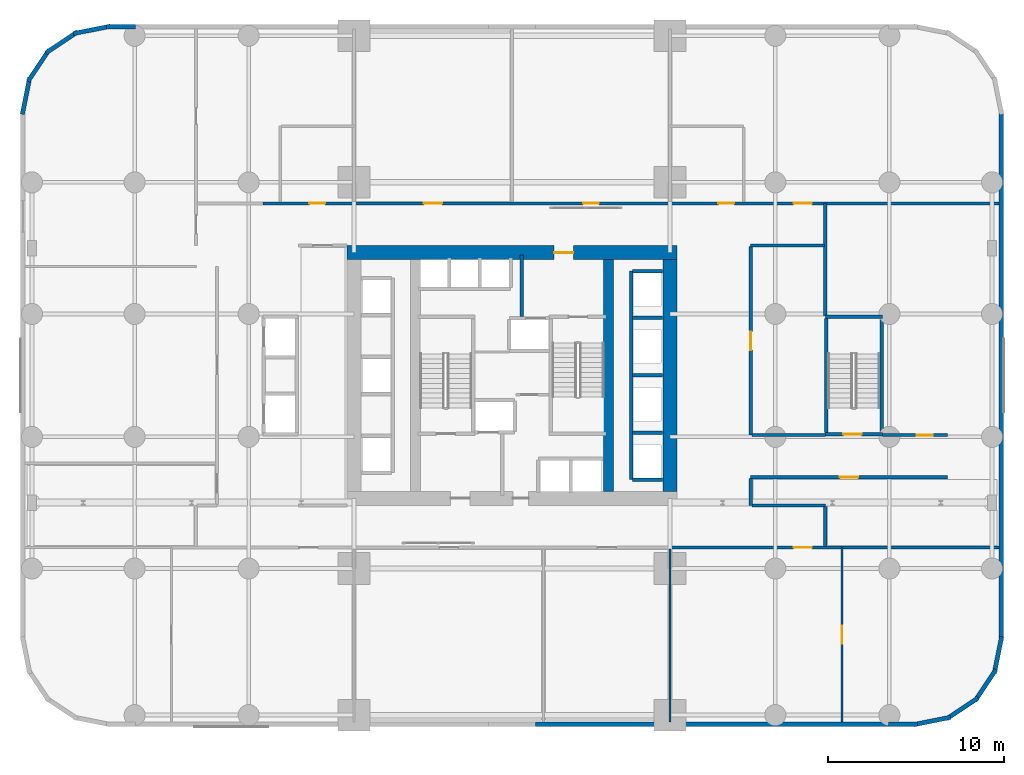
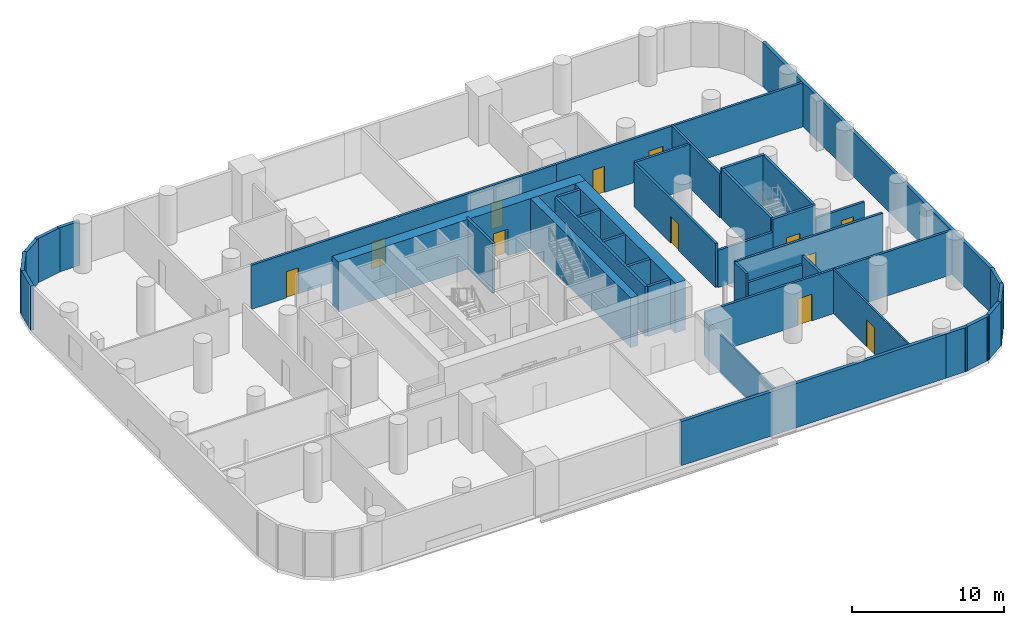
# One storey, part 10 of 15: 40 walls, 12 doors, 12 openings.
"""IFC4 building model written with IfcOpenShell, lengths in metres."""

from ifc_helpers import new_model, si_unit, direction, frame, frame_2d, origin, place, context, subcontext, project, spatial, rectangle, extrude, material, layer, layer_set, type_object, element, fill, save


model = new_model("IFC4")

# Units and contexts
model_context = context("Model", 3, precision=1e-05, world=origin(), true_north=direction((0.0, 1.0)))
body_context = subcontext(model_context, "Body", "Model", "MODEL_VIEW")
ifc_project = project(units=[si_unit("LENGTHUNIT", "METRE"), si_unit("AREAUNIT", "SQUARE_METRE"), si_unit("VOLUMEUNIT", "CUBIC_METRE"), si_unit("PLANEANGLEUNIT", "RADIAN"), si_unit("MASSUNIT", "GRAM", prefix="KILO")], contexts=[model_context])

# Site, building, storey
site_placement = place(None, origin())
site = spatial("IfcSite", under=ifc_project, at=site_placement, CompositionType="ELEMENT")
building_placement = place(site_placement, origin())
building = spatial("IfcBuilding", under=site, at=building_placement, Name="Veldorim Arch Residences", CompositionType="ELEMENT")
storey_placement = place(building_placement, frame((0.0, 0.0, 16.0)))
storey = spatial("IfcBuildingStorey", under=building, at=storey_placement, Name="L04", CompositionType="ELEMENT", Elevation=16.0)

# Wall, opening, door
ifc_material_1 = material(Name="Acoustic Gypsum Board", Category="gypsum")
ifc_layer_1 = layer(ifc_material_1, 0.125, Name="Acoustic Stud Room Partition Wall 125")
ifc_layer_set_1 = layer_set([ifc_layer_1], Name="Acoustic Gypsum Board")
wall_type_1 = type_object("IfcWallType", Name="Acoustic Stud Room Partition Wall 125", PredefinedType="PARTITIONING", material=ifc_layer_set_1)
wall_1_placement = place(storey_placement, frame((50.800048828125, 14.199951171875, 0.0), z_axis=(0.0, 0.0, 1.0), x_axis=(0.0, -1.0, 0.0)))
wall_1 = element("IfcWall", 1, at=wall_1_placement, inside=storey, type_object=wall_type_1, Name="L04 interior wall WL-POD-L04-029", PredefinedType="PARTITIONING", context=body_context, shape_type="SweptSolid", body=[
    extrude(rectangle(XDim=9.949951171875, YDim=0.125, at=frame_2d((4.97509765625, 0.0))), origin(), (0.0, 0.0, 1.0), 3.544921875),
])
opening_1_placement = place(wall_1_placement, frame((4.449951171875, 0.0, 0.0)))
opening_1 = element("IfcOpeningElement", 2, at=opening_1_placement, cuts=wall_1, Name="Opening DR-CLN", PredefinedType="OPENING", context=body_context, shape_type="SweptSolid", body=[
    extrude(rectangle(XDim=1.050048828125, YDim=2.14990234375, at=frame_2d((0.52490234375, 1.074951171875))), frame((0.0, 0.072509765625, 0.0), z_axis=(0.0, -1.0, 0.0), x_axis=(1.0, 0.0, 0.0)), (0.0, 0.0, 1.0), 0.14501953125),
])
ifc_material_2 = material(Name="Timber & Vision Panel", Category="wood")
door_type_1 = type_object("IfcDoorType", Name="Polyclinic Wheelchair-Accessible Consultation Door 1050x2150", OperationType="SINGLE_SWING_LEFT", PredefinedType="DOOR", material=ifc_material_2)
door_1_placement = place(opening_1_placement, origin())
door_1 = element("IfcDoor", 3, at=door_1_placement, inside=storey, type_object=door_type_1, Name="L04 interior door DR-POD-L04-010", OperationType="SINGLE_SWING_RIGHT", OverallHeight=2.14990234375, OverallWidth=1.050048828125, PredefinedType="DOOR", context=body_context, shape_type="SweptSolid", body=[
    extrude(rectangle(XDim=1.050048828125, YDim=2.14990234375, at=frame_2d((0.52490234375, 1.074951171875))), frame((0.0, 0.02490234375, 0.0), z_axis=(0.0, -1.0, 0.0), x_axis=(1.0, 0.0, 0.0)), (0.0, 0.0, 1.0), 0.050048828125),
])
fill(opening_1, door_1)

# Wall
wall_2_placement = place(storey_placement, frame((41.0, 4.25, 0.0), z_axis=(0.0, 0.0, 1.0), x_axis=(0.0, 1.0, 0.0)))
element("IfcWall", 4, at=wall_2_placement, inside=storey, type_object=wall_type_1, Name="L04 interior wall WL-POD-L04-030", PredefinedType="PARTITIONING", context=body_context, shape_type="SweptSolid", body=[
    extrude(rectangle(XDim=9.85009765625, YDim=0.125, at=frame_2d((4.925048828125, 0.0))), origin(), (0.0, 0.0, 1.0), 3.001220703125),
])

# Wall, openings, doors
ifc_material_3 = material(Name="Lightweight Masonry Block & Gypsum", Category="masonry")
ifc_layer_2 = layer(ifc_material_3, 0.179931640625, Name="Compartment & Corridor Fire-Rated Party Wall 180")
ifc_layer_set_2 = layer_set([ifc_layer_2], Name="Lightweight Masonry Block & Gypsum")
wall_type_2 = type_object("IfcWallType", Name="Compartment & Corridor Fire-Rated Party Wall 180", PredefinedType="PARTITIONING", material=ifc_layer_set_2)
wall_3_placement = place(storey_placement, frame((17.800048828125, 33.800048828125, 0.0), z_axis=(0.0, 0.0, 1.0), x_axis=(1.0, 0.0, 0.0)))
wall_3 = element("IfcWall", 5, at=wall_3_placement, inside=storey, type_object=wall_type_2, Name="L04 interior wall WL-POD-L04-006", PredefinedType="PARTITIONING", context=body_context, shape_type="SweptSolid", body=[
    extrude(rectangle(XDim=23.219970703125, YDim=0.179931640625, at=frame_2d((11.60986328125, 0.0))), origin(), (0.0, 0.0, 1.0), 3.544921875),
])
opening_2_placement = place(wall_3_placement, frame((2.64990234375, 0.0, 0.0)))
opening_2 = element("IfcOpeningElement", 6, at=opening_2_placement, cuts=wall_3, Name="Opening DR-WC", PredefinedType="OPENING", context=body_context, shape_type="SweptSolid", body=[
    extrude(rectangle(XDim=0.89990234375, YDim=2.10009765625, at=frame_2d((0.449951171875, 1.050048828125))), frame((0.0, 0.099853515625, 0.0), z_axis=(0.0, -1.0, 0.0), x_axis=(1.0, 0.0, 0.0)), (0.0, 0.0, 1.0), 0.199951171875),
])
opening_3_placement = place(wall_3_placement, frame((9.175048828125, 0.0, 0.0)))
opening_3 = element("IfcOpeningElement", 7, at=opening_3_placement, cuts=wall_3, Name="Opening DR-CLN", PredefinedType="OPENING", context=body_context, shape_type="SweptSolid", body=[
    extrude(rectangle(XDim=1.050048828125, YDim=2.14990234375, at=frame_2d((0.52490234375, 1.074951171875))), frame((0.0, 0.099853515625, 0.0), z_axis=(0.0, -1.0, 0.0), x_axis=(1.0, 0.0, 0.0)), (0.0, 0.0, 1.0), 0.199951171875),
])
opening_4_placement = place(wall_3_placement, frame((18.25, 0.0, 0.0)))
opening_4 = element("IfcOpeningElement", 8, at=opening_4_placement, cuts=wall_3, Name="Opening DR-INT", PredefinedType="OPENING", context=body_context, shape_type="SweptSolid", body=[
    extrude(rectangle(XDim=0.89990234375, YDim=2.10009765625, at=frame_2d((0.449951171875, 1.050048828125))), frame((0.0, 0.099853515625, 0.0), z_axis=(0.0, -1.0, 0.0), x_axis=(1.0, 0.0, 0.0)), (0.0, 0.0, 1.0), 0.199951171875),
])
ifc_material_4 = material(Name="Engineered Timber", Category="wood")
door_type_2 = type_object("IfcDoorType", Name="Apartment Internal Room Timber Door 900x2100", OperationType="SINGLE_SWING_LEFT", PredefinedType="DOOR", material=ifc_material_4)
door_2_placement = place(opening_4_placement, origin())
door_2 = element("IfcDoor", 9, at=door_2_placement, inside=storey, type_object=door_type_2, Name="L04 interior door DR-POD-L04-019", OperationType="SINGLE_SWING_LEFT", OverallHeight=2.10009765625, OverallWidth=0.89990234375, PredefinedType="DOOR", context=body_context, shape_type="SweptSolid", body=[
    extrude(rectangle(XDim=0.89990234375, YDim=2.10009765625, at=frame_2d((0.449951171875, 1.050048828125))), frame((0.0, 0.02490234375, 0.0), z_axis=(0.0, -1.0, 0.0), x_axis=(1.0, 0.0, 0.0)), (0.0, 0.0, 1.0), 0.050048828125),
])
fill(opening_4, door_2)
ifc_material_5 = material(Name="Laminate Timber", Category="wood")
door_type_3 = type_object("IfcDoorType", Name="Bathroom & Accessible WC Moisture-Sealed Door 900x2100", OperationType="SINGLE_SWING_LEFT", PredefinedType="DOOR", material=ifc_material_5)
door_3_placement = place(opening_2_placement, origin())
door_3 = element("IfcDoor", 10, at=door_3_placement, inside=storey, type_object=door_type_3, Name="L04 interior door DR-POD-L04-006", OperationType="SINGLE_SWING_RIGHT", OverallHeight=2.10009765625, OverallWidth=0.89990234375, PredefinedType="DOOR", context=body_context, shape_type="SweptSolid", body=[
    extrude(rectangle(XDim=0.89990234375, YDim=2.10009765625, at=frame_2d((0.449951171875, 1.050048828125))), frame((0.0, 0.02490234375, 0.0), z_axis=(0.0, -1.0, 0.0), x_axis=(1.0, 0.0, 0.0)), (0.0, 0.0, 1.0), 0.050048828125),
])
fill(opening_2, door_3)
door_4_placement = place(opening_3_placement, origin())
door_4 = element("IfcDoor", 11, at=door_4_placement, inside=storey, type_object=door_type_1, Name="L04 interior door DR-POD-L04-018", OperationType="SINGLE_SWING_RIGHT", OverallHeight=2.14990234375, OverallWidth=1.050048828125, PredefinedType="DOOR", context=body_context, shape_type="SweptSolid", body=[
    extrude(rectangle(XDim=1.050048828125, YDim=2.14990234375, at=frame_2d((0.52490234375, 1.074951171875))), frame((0.0, 0.02490234375, 0.0), z_axis=(0.0, -1.0, 0.0), x_axis=(1.0, 0.0, 0.0)), (0.0, 0.0, 1.0), 0.050048828125),
])
fill(opening_3, door_4)

# Wall, opening, door
wall_4_placement = place(storey_placement, frame((59.75, 14.199951171875, 0.0), z_axis=(0.0, 0.0, 1.0), x_axis=(-1.0, 0.0, 0.0)))
wall_4 = element("IfcWall", 12, at=wall_4_placement, inside=storey, type_object=wall_type_2, Name="L04 interior wall WL-POD-L04-010", PredefinedType="PARTITIONING", context=body_context, shape_type="SweptSolid", body=[
    extrude(rectangle(XDim=18.77001953125, YDim=0.179931640625, at=frame_2d((9.385009765625, 0.0))), origin(), (0.0, 0.0, 1.0), 3.544921875),
])
opening_5_placement = place(wall_4_placement, frame((10.659912109375, 0.0, 0.0)))
opening_5 = element("IfcOpeningElement", 13, at=opening_5_placement, cuts=wall_4, Name="Opening DR-CLN", PredefinedType="OPENING", context=body_context, shape_type="SweptSolid", body=[
    extrude(rectangle(XDim=1.050048828125, YDim=2.14990234375, at=frame_2d((0.52490234375, 1.074951171875))), frame((0.0, 0.099853515625, 0.0), z_axis=(0.0, -1.0, 0.0), x_axis=(1.0, 0.0, 0.0)), (0.0, 0.0, 1.0), 0.199951171875),
])
door_5_placement = place(opening_5_placement, origin())
door_5 = element("IfcDoor", 14, at=door_5_placement, inside=storey, type_object=door_type_1, Name="L04 interior door DR-POD-L04-009", OperationType="SINGLE_SWING_LEFT", OverallHeight=2.14990234375, OverallWidth=1.050048828125, PredefinedType="DOOR", context=body_context, shape_type="SweptSolid", body=[
    extrude(rectangle(XDim=1.050048828125, YDim=2.14990234375, at=frame_2d((0.52490234375, 1.074951171875))), frame((0.0, 0.02490234375, 0.0), z_axis=(0.0, -1.0, 0.0), x_axis=(1.0, 0.0, 0.0)), (0.0, 0.0, 1.0), 0.050048828125),
])
fill(opening_5, door_5)

wall_5_placement = place(storey_placement, frame((56.800048828125, 18.199951171875, 0.0), z_axis=(0.0, 0.0, 1.0), x_axis=(-1.0, 0.0, 0.0)))
wall_5 = element("IfcWall", 15, at=wall_5_placement, inside=storey, type_object=wall_type_2, Name="L04 interior wall WL-POD-L04-011", PredefinedType="PARTITIONING", context=body_context, shape_type="SweptSolid", body=[
    extrude(rectangle(XDim=11.199951171875, YDim=0.179931640625, at=frame_2d((5.60009765625, 0.0))), origin(), (0.0, 0.0, 1.0), 3.544921875),
])
opening_6_placement = place(wall_5_placement, frame((5.074951171875, 0.0, 0.0)))
opening_6 = element("IfcOpeningElement", 16, at=opening_6_placement, cuts=wall_5, Name="Opening DR-CLN", PredefinedType="OPENING", context=body_context, shape_type="SweptSolid", body=[
    extrude(rectangle(XDim=1.050048828125, YDim=2.14990234375, at=frame_2d((0.52490234375, 1.074951171875))), frame((0.0, 0.099853515625, 0.0), z_axis=(0.0, -1.0, 0.0), x_axis=(1.0, 0.0, 0.0)), (0.0, 0.0, 1.0), 0.199951171875),
])
door_6_placement = place(opening_6_placement, origin())
door_6 = element("IfcDoor", 17, at=door_6_placement, inside=storey, type_object=door_type_1, Name="L04 interior door DR-POD-L04-011", OperationType="SINGLE_SWING_LEFT", OverallHeight=2.14990234375, OverallWidth=1.050048828125, PredefinedType="DOOR", context=body_context, shape_type="SweptSolid", body=[
    extrude(rectangle(XDim=1.050048828125, YDim=2.14990234375, at=frame_2d((0.52490234375, 1.074951171875))), frame((0.0, 0.02490234375, 0.0), z_axis=(0.0, -1.0, 0.0), x_axis=(1.0, 0.0, 0.0)), (0.0, 0.0, 1.0), 0.050048828125),
])
fill(opening_6, door_6)

# Walls
wall_6_placement = place(storey_placement, frame((45.60009765625, 18.139892578125, 0.0), z_axis=(0.0, 0.0, 1.0), x_axis=(0.0, -1.0, 0.0)))
element("IfcWall", 18, at=wall_6_placement, inside=storey, type_object=wall_type_2, Name="L04 interior wall WL-POD-L04-012", PredefinedType="PARTITIONING", context=body_context, shape_type="SweptSolid", body=[
    extrude(rectangle(XDim=1.539794921875, YDim=0.179931640625, at=frame_2d((0.77001953125, 0.0))), origin(), (0.0, 0.0, 1.0), 3.544921875),
])
wall_7_placement = place(storey_placement, frame((45.659912109375, 16.60009765625, 0.0), z_axis=(0.0, 0.0, 1.0), x_axis=(1.0, 0.0, 0.0)))
element("IfcWall", 19, at=wall_7_placement, inside=storey, type_object=wall_type_2, Name="L04 interior wall WL-POD-L04-013", PredefinedType="PARTITIONING", context=body_context, shape_type="SweptSolid", body=[
    extrude(rectangle(XDim=4.190185546875, YDim=0.179931640625, at=frame_2d((2.09521484375, 0.0))), origin(), (0.0, 0.0, 1.0), 2.837890625),
])
wall_8_placement = place(storey_placement, frame((49.85009765625, 16.5400390625, 0.0), z_axis=(0.0, 0.0, 1.0), x_axis=(0.0, -1.0, 0.0)))
element("IfcWall", 20, at=wall_8_placement, inside=storey, type_object=wall_type_2, Name="L04 interior wall WL-POD-L04-014", PredefinedType="PARTITIONING", context=body_context, shape_type="SweptSolid", body=[
    extrude(rectangle(XDim=2.280029296875, YDim=0.179931640625, at=frame_2d((1.14013671875, 0.0))), origin(), (0.0, 0.0, 1.0), 3.544921875),
])
wall_9_placement = place(storey_placement, frame((49.85009765625, 33.800048828125, 0.0), z_axis=(0.0, 0.0, 1.0), x_axis=(0.0, -1.0, 0.0)))
element("IfcWall", 21, at=wall_9_placement, inside=storey, type_object=wall_type_2, Name="L04 interior wall WL-POD-L04-015", PredefinedType="PARTITIONING", context=body_context, shape_type="SweptSolid", body=[
    extrude(rectangle(XDim=6.400146484375, YDim=0.179931640625, at=frame_2d((3.2001953125, 0.0))), origin(), (0.0, 0.0, 1.0), 3.544921875),
])

# Wall, opening, door
wall_10_placement = place(storey_placement, frame((53.10009765625, 20.60009765625, 0.0), z_axis=(0.0, 0.0, 1.0), x_axis=(1.0, 0.0, 0.0)))
wall_10 = element("IfcWall", 22, at=wall_10_placement, inside=storey, type_object=wall_type_2, Name="L04 interior wall WL-POD-L04-016", PredefinedType="PARTITIONING", context=body_context, shape_type="SweptSolid", body=[
    extrude(rectangle(XDim=3.699951171875, YDim=0.179931640625, at=frame_2d((1.85009765625, 0.0))), origin(), (0.0, 0.0, 1.0), 2.993408203125),
])
opening_7_placement = place(wall_10_placement, frame((1.9599609375, 0.0, 0.0)))
opening_7 = element("IfcOpeningElement", 23, at=opening_7_placement, cuts=wall_10, Name="Opening DR-SVC", PredefinedType="OPENING", context=body_context, shape_type="SweptSolid", body=[
    extrude(rectangle(XDim=0.89990234375, YDim=2.10009765625, at=frame_2d((0.449951171875, 1.050048828125))), frame((0.0, 0.099853515625, 0.0), z_axis=(0.0, -1.0, 0.0), x_axis=(1.0, 0.0, 0.0)), (0.0, 0.0, 1.0), 0.199951171875),
])
ifc_material_6 = material(Name="Fire-Rated Steel", Category="steel")
door_type_4 = type_object("IfcDoorType", Name="Riser, Shelter & Plant Room Rated Steel Door 900x2100", OperationType="SINGLE_SWING_LEFT", PredefinedType="DOOR", material=ifc_material_6)
door_7_placement = place(opening_7_placement, origin())
door_7 = element("IfcDoor", 24, at=door_7_placement, inside=storey, type_object=door_type_4, Name="L04 interior door DR-POD-L04-012", OperationType="SINGLE_SWING_RIGHT", OverallHeight=2.10009765625, OverallWidth=0.89990234375, PredefinedType="DOOR", context=body_context, shape_type="SweptSolid", body=[
    extrude(rectangle(XDim=0.89990234375, YDim=2.10009765625, at=frame_2d((0.449951171875, 1.050048828125))), frame((0.0, 0.02490234375, 0.0), z_axis=(0.0, -1.0, 0.0), x_axis=(1.0, 0.0, 0.0)), (0.0, 0.0, 1.0), 0.050048828125),
])
fill(opening_7, door_7)

# Wall
wall_11_placement = place(storey_placement, frame((49.7900390625, 31.39990234375, 0.0), z_axis=(0.0, 0.0, 1.0), x_axis=(-1.0, 0.0, 0.0)))
element("IfcWall", 25, at=wall_11_placement, inside=storey, type_object=wall_type_2, Name="L04 interior wall WL-POD-L04-017", PredefinedType="PARTITIONING", context=body_context, shape_type="SweptSolid", body=[
    extrude(rectangle(XDim=4.18994140625, YDim=0.179931640625, at=frame_2d((2.094970703125, 0.0))), origin(), (0.0, 0.0, 1.0), 3.544921875),
])

# Wall, opening, door
wall_12_placement = place(storey_placement, frame((45.60009765625, 31.340087890625, 0.0), z_axis=(0.0, 0.0, 1.0), x_axis=(0.0, -1.0, 0.0)))
wall_12 = element("IfcWall", 26, at=wall_12_placement, inside=storey, type_object=wall_type_2, Name="L04 interior wall WL-POD-L04-018", PredefinedType="PARTITIONING", context=body_context, shape_type="SweptSolid", body=[
    extrude(rectangle(XDim=10.739990234375, YDim=0.179931640625, at=frame_2d((5.3701171875, 0.0))), origin(), (0.0, 0.0, 1.0), 3.544921875),
])
opening_8_placement = place(wall_12_placement, frame((4.844970703125, 0.0, 0.0)))
opening_8 = element("IfcOpeningElement", 27, at=opening_8_placement, cuts=wall_12, Name="Opening DR-CLN", PredefinedType="OPENING", context=body_context, shape_type="SweptSolid", body=[
    extrude(rectangle(XDim=1.050048828125, YDim=2.14990234375, at=frame_2d((0.52490234375, 1.074951171875))), frame((0.0, 0.099853515625, 0.0), z_axis=(0.0, -1.0, 0.0), x_axis=(1.0, 0.0, 0.0)), (0.0, 0.0, 1.0), 0.199951171875),
])
door_8_placement = place(opening_8_placement, origin())
door_8 = element("IfcDoor", 28, at=door_8_placement, inside=storey, type_object=door_type_1, Name="L04 interior door DR-POD-L04-013", OperationType="SINGLE_SWING_LEFT", OverallHeight=2.14990234375, OverallWidth=1.050048828125, PredefinedType="DOOR", context=body_context, shape_type="SweptSolid", body=[
    extrude(rectangle(XDim=1.050048828125, YDim=2.14990234375, at=frame_2d((0.52490234375, 1.074951171875))), frame((0.0, 0.02490234375, 0.0), z_axis=(0.0, -1.0, 0.0), x_axis=(1.0, 0.0, 0.0)), (0.0, 0.0, 1.0), 0.050048828125),
])
fill(opening_8, door_8)

# Wall
wall_13_placement = place(storey_placement, frame((45.659912109375, 20.60009765625, 0.0), z_axis=(0.0, 0.0, 1.0), x_axis=(1.0, 0.0, 0.0)))
element("IfcWall", 29, at=wall_13_placement, inside=storey, type_object=wall_type_2, Name="L04 interior wall WL-POD-L04-019", PredefinedType="PARTITIONING", context=body_context, shape_type="SweptSolid", body=[
    extrude(rectangle(XDim=4.190185546875, YDim=0.179931640625, at=frame_2d((2.09521484375, 0.0))), origin(), (0.0, 0.0, 1.0), 2.993408203125),
])

# Wall, openings, doors
wall_14_placement = place(storey_placement, frame((40.97998046875, 33.800048828125, 0.0), z_axis=(0.0, 0.0, 1.0), x_axis=(1.0, 0.0, 0.0)))
wall_14 = element("IfcWall", 30, at=wall_14_placement, inside=storey, type_object=wall_type_2, Name="L04 interior wall WL-POD-L04-020", PredefinedType="PARTITIONING", context=body_context, shape_type="SweptSolid", body=[
    extrude(rectangle(XDim=18.77001953125, YDim=0.179931640625, at=frame_2d((9.385009765625, 0.0))), origin(), (0.0, 0.0, 1.0), 3.544921875),
])
opening_9_placement = place(wall_14_placement, frame((2.780029296875, 0.0, 0.0)))
opening_9 = element("IfcOpeningElement", 31, at=opening_9_placement, cuts=wall_14, Name="Opening DR-WC", PredefinedType="OPENING", context=body_context, shape_type="SweptSolid", body=[
    extrude(rectangle(XDim=0.89990234375, YDim=2.10009765625, at=frame_2d((0.449951171875, 1.050048828125))), frame((0.0, 0.099853515625, 0.0), z_axis=(0.0, -1.0, 0.0), x_axis=(1.0, 0.0, 0.0)), (0.0, 0.0, 1.0), 0.199951171875),
])
opening_10_placement = place(wall_14_placement, frame((7.06005859375, 0.0, 0.0)))
opening_10 = element("IfcOpeningElement", 32, at=opening_10_placement, cuts=wall_14, Name="Opening DR-CLN", PredefinedType="OPENING", context=body_context, shape_type="SweptSolid", body=[
    extrude(rectangle(XDim=1.050048828125, YDim=2.14990234375, at=frame_2d((0.52490234375, 1.074951171875))), frame((0.0, 0.099853515625, 0.0), z_axis=(0.0, -1.0, 0.0), x_axis=(1.0, 0.0, 0.0)), (0.0, 0.0, 1.0), 0.199951171875),
])
door_9_placement = place(opening_9_placement, origin())
door_9 = element("IfcDoor", 33, at=door_9_placement, inside=storey, type_object=door_type_3, Name="L04 interior door DR-POD-L04-014", OperationType="SINGLE_SWING_RIGHT", OverallHeight=2.10009765625, OverallWidth=0.89990234375, PredefinedType="DOOR", context=body_context, shape_type="SweptSolid", body=[
    extrude(rectangle(XDim=0.89990234375, YDim=2.10009765625, at=frame_2d((0.449951171875, 1.050048828125))), frame((0.0, 0.02490234375, 0.0), z_axis=(0.0, -1.0, 0.0), x_axis=(1.0, 0.0, 0.0)), (0.0, 0.0, 1.0), 0.050048828125),
])
fill(opening_9, door_9)
door_10_placement = place(opening_10_placement, origin())
door_10 = element("IfcDoor", 34, at=door_10_placement, inside=storey, type_object=door_type_1, Name="L04 interior door DR-POD-L04-015", OperationType="SINGLE_SWING_LEFT", OverallHeight=2.14990234375, OverallWidth=1.050048828125, PredefinedType="DOOR", context=body_context, shape_type="SweptSolid", body=[
    extrude(rectangle(XDim=1.050048828125, YDim=2.14990234375, at=frame_2d((0.52490234375, 1.074951171875))), frame((0.0, 0.02490234375, 0.0), z_axis=(0.0, -1.0, 0.0), x_axis=(1.0, 0.0, 0.0)), (0.0, 0.0, 1.0), 0.050048828125),
])
fill(opening_10, door_10)

# Walls
ifc_material_7 = material(Name="Concrete C50/60", Category="concrete")
ifc_layer_3 = layer(ifc_material_7, 0.199951171875, Name="Core Stair & Lift Shaft Enclosure Wall 200")
ifc_layer_set_3 = layer_set([ifc_layer_3], Name="Concrete C50/60")
wall_type_3 = type_object("IfcWallType", Name="Core Stair & Lift Shaft Enclosure Wall 200", PredefinedType="SHEAR", material=ifc_layer_set_3)
wall_15_placement = place(storey_placement, frame((32.550048828125, 27.35009765625, 0.0), z_axis=(0.0, 0.0, 1.0), x_axis=(0.0, 1.0, 0.0)))
element("IfcWall", 35, at=wall_15_placement, inside=storey, type_object=wall_type_3, Name="L04 shaft wall WL-FFL2-L04-W", PredefinedType="SHEAR", context=body_context, shape_type="SweptSolid", body=[
    extrude(rectangle(XDim=3.5, YDim=0.199951171875, at=frame_2d((1.75, 0.0))), origin(), (0.0, 0.0, 1.0), 4.0),
])
wall_16_placement = place(storey_placement, frame((38.800048828125, 18.06005859375, 0.0), z_axis=(0.0, 0.0, 1.0), x_axis=(0.0, 1.0, 0.0)))
element("IfcWall", 36, at=wall_16_placement, inside=storey, type_object=wall_type_3, Name="L04 shaft wall WL-B1-L04-W", PredefinedType="SHEAR", context=body_context, shape_type="SweptSolid", body=[
    extrude(rectangle(XDim=11.8798828125, YDim=0.199951171875, at=frame_2d((5.93994140625, 0.0))), origin(), (0.0, 0.0, 1.0), 4.0),
])
for number, where, z_axis, x_axis, name in (
    (37, (38.8701171875, 18.06005859375, 0.0), (0.0, 0.0, 1.0), (1.0, 0.0, 0.0), "L04 shaft wall WL-B1-L04-S"),
    (38, (38.8701171875, 29.93994140625, 0.0), (0.0, 0.0, 1.0), (1.0, 0.0, 0.0), "L04 shaft wall WL-B1-L04-N"),
    (39, (38.8701171875, 20.72509765625, 0.0), (0.0, 0.0, 1.0), (1.0, 0.0, 0.0), "L04 shaft wall WL-B1-L04-D1"),
    (40, (38.8701171875, 24.0, 0.0), (0.0, 0.0, 1.0), (1.0, 0.0, 0.0), "L04 shaft wall WL-B1-L04-D2"),
    (41, (38.8701171875, 27.27490234375, 0.0), (0.0, 0.0, 1.0), (1.0, 0.0, 0.0), "L04 shaft wall WL-B1-L04-D3"),
):
    element("IfcWall", number, at=place(storey_placement, frame(where, z_axis=z_axis, x_axis=x_axis)), inside=storey, type_object=wall_type_3, Name=name, PredefinedType="SHEAR", context=body_context, shape_type="SweptSolid", body=[
        extrude(rectangle(XDim=1.7099609375, YDim=0.199951171875, at=frame_2d((0.85498046875, 0.0))), origin(), (0.0, 0.0, 1.0), 4.0),
    ])
for number, where, z_axis, x_axis, name in (
    (42, (49.89990234375, 20.760009765625, 0.0), (0.0, 0.0, 1.0), (0.0, 1.0, 0.0), "L04 shaft wall WL-SHF-L04-ST3-W"),
    (43, (53.06005859375, 20.760009765625, 0.0), (0.0, 0.0, 1.0), (0.0, 1.0, 0.0), "L04 shaft wall WL-SHF-L04-ST3-E"),
):
    element("IfcWall", number, at=place(storey_placement, frame(where, z_axis=z_axis, x_axis=x_axis)), inside=storey, type_object=wall_type_3, Name=name, PredefinedType="SHEAR", context=body_context, shape_type="SweptSolid", body=[
        extrude(rectangle(XDim=6.47998046875, YDim=0.199951171875, at=frame_2d((3.239990234375, 0.0))), origin(), (0.0, 0.0, 1.0), 4.0),
    ])

# Wall, opening, door
wall_17_placement = place(storey_placement, frame((49.85009765625, 20.64990234375, 0.0), z_axis=(0.0, 0.0, 1.0), x_axis=(1.0, 0.0, 0.0)))
wall_17 = element("IfcWall", 44, at=wall_17_placement, inside=storey, type_object=wall_type_3, Name="L04 shaft wall WL-SHF-L04-ST3-S", PredefinedType="SHEAR", context=body_context, shape_type="SweptSolid", body=[
    extrude(rectangle(XDim=3.260009765625, YDim=0.199951171875, at=frame_2d((1.6298828125, 0.0))), origin(), (0.0, 0.0, 1.0), 4.0),
])
opening_11_placement = place(wall_17_placement, frame((1.02490234375, 0.0, 0.0)))
opening_11 = element("IfcOpeningElement", 45, at=opening_11_placement, cuts=wall_17, Name="Opening DR-ST", PredefinedType="OPENING", context=body_context, shape_type="SweptSolid", body=[
    extrude(rectangle(XDim=1.050048828125, YDim=2.14990234375, at=frame_2d((0.52490234375, 1.074951171875))), frame((0.0, 0.10986328125, 0.0), z_axis=(0.0, -1.0, 0.0), x_axis=(1.0, 0.0, 0.0)), (0.0, 0.0, 1.0), 0.219970703125),
])
ifc_material_8 = material(Name="Fire-Rated Steel", Category="steel")
door_type_5 = type_object("IfcDoorType", Name="Exit Staircase Self-Closing Fire Door 1050x2150", OperationType="SINGLE_SWING_LEFT", PredefinedType="DOOR", material=ifc_material_8)
door_11_placement = place(opening_11_placement, origin())
door_11 = element("IfcDoor", 46, at=door_11_placement, inside=storey, type_object=door_type_5, Name="L04 interior door DR-L04-ST3", OperationType="SINGLE_SWING_LEFT", OverallHeight=2.14990234375, OverallWidth=1.050048828125, PredefinedType="DOOR", context=body_context, shape_type="SweptSolid", body=[
    extrude(rectangle(XDim=1.050048828125, YDim=2.14990234375, at=frame_2d((0.52490234375, 1.074951171875))), frame((0.0, 0.02490234375, 0.0), z_axis=(0.0, -1.0, 0.0), x_axis=(1.0, 0.0, 0.0)), (0.0, 0.0, 1.0), 0.050048828125),
])
fill(opening_11, door_11)

# Walls
wall_18_placement = place(storey_placement, frame((49.85009765625, 27.35009765625, 0.0), z_axis=(0.0, 0.0, 1.0), x_axis=(1.0, 0.0, 0.0)))
element("IfcWall", 47, at=wall_18_placement, inside=storey, type_object=wall_type_3, Name="L04 shaft wall WL-SHF-L04-ST3-N", PredefinedType="SHEAR", context=body_context, shape_type="SweptSolid", body=[
    extrude(rectangle(XDim=3.260009765625, YDim=0.199951171875, at=frame_2d((1.6298828125, 0.0))), origin(), (0.0, 0.0, 1.0), 4.0),
])
ifc_material_9 = material(Name="Concrete C60/75", Category="concrete")
ifc_layer_4 = layer(ifc_material_9, 0.56005859375, Name="Internal Core Shear Web Wall 560")
ifc_layer_set_4 = layer_set([ifc_layer_4], Name="Concrete C60/75")
wall_type_4 = type_object("IfcWallType", Name="Internal Core Shear Web Wall 560", PredefinedType="SHEAR", material=ifc_layer_set_4)
wall_19_placement = place(storey_placement, frame((37.5, 17.39990234375, 0.0), z_axis=(0.0, 0.0, 1.0), x_axis=(0.0, 1.0, 0.0)))
element("IfcWall", 48, at=wall_19_placement, inside=storey, type_object=wall_type_4, Name="L04 core east internal shear web", PredefinedType="SHEAR", context=body_context, shape_type="SweptSolid", body=[
    extrude(rectangle(XDim=13.2001953125, YDim=0.56005859375, at=frame_2d((6.60009765625, 0.0))), origin(), (0.0, 0.0, 1.0), 4.0),
])

# Wall, opening, door
ifc_material_10 = material(Name="Concrete C60/75", Category="concrete")
ifc_layer_5 = layer(ifc_material_10, 0.800048828125, Name="Lower Central Core Shear Wall 800")
ifc_layer_set_5 = layer_set([ifc_layer_5], Name="Concrete C60/75")
wall_type_5 = type_object("IfcWallType", Name="Lower Central Core Shear Wall 800", PredefinedType="SHEAR", material=ifc_layer_set_5)
wall_20_placement = place(storey_placement, frame((22.60009765625, 31.0, 0.0), z_axis=(0.0, 0.0, 1.0), x_axis=(1.0, 0.0, 0.0)))
wall_20 = element("IfcWall", 49, at=wall_20_placement, inside=storey, type_object=wall_type_5, Name="L04 central core north shear wall", PredefinedType="SHEAR", context=body_context, shape_type="SweptSolid", body=[
    extrude(rectangle(XDim=18.7998046875, YDim=0.800048828125, at=frame_2d((9.39990234375, 0.0))), origin(), (0.0, 0.0, 1.0), 4.0),
])
opening_12_placement = place(wall_20_placement, frame((11.800048828125, 0.0, 0.0)))
opening_12 = element("IfcOpeningElement", 50, at=opening_12_placement, cuts=wall_20, Name="Opening DR-FFL", PredefinedType="OPENING", context=body_context, shape_type="SweptSolid", body=[
    extrude(rectangle(XDim=1.10009765625, YDim=2.14990234375, at=frame_2d((0.550048828125, 1.074951171875))), frame((0.0, 0.409912109375, 0.0), z_axis=(0.0, -1.0, 0.0), x_axis=(1.0, 0.0, 0.0)), (0.0, 0.0, 1.0), 0.820068359375),
])
ifc_material_11 = material(Name="Fire-Rated Steel & Vision Glass", Category="steel")
door_type_6 = type_object("IfcDoorType", Name="Firefighting Lobby Smoke-Stop Fire Door 1100x2150", OperationType="SINGLE_SWING_LEFT", PredefinedType="DOOR", material=ifc_material_11)
door_12_placement = place(opening_12_placement, origin())
door_12 = element("IfcDoor", 51, at=door_12_placement, inside=storey, type_object=door_type_6, Name="L04 interior door DR-L04-FFL2", OperationType="SINGLE_SWING_LEFT", OverallHeight=2.14990234375, OverallWidth=1.10009765625, PredefinedType="DOOR", context=body_context, shape_type="SweptSolid", body=[
    extrude(rectangle(XDim=1.10009765625, YDim=2.14990234375, at=frame_2d((0.550048828125, 1.074951171875))), frame((0.0, 0.02490234375, 0.0), z_axis=(0.0, -1.0, 0.0), x_axis=(1.0, 0.0, 0.0)), (0.0, 0.0, 1.0), 0.050048828125),
])
fill(opening_12, door_12)

# Walls
wall_21_placement = place(storey_placement, frame((41.0, 17.39990234375, 0.0), z_axis=(0.0, 0.0, 1.0), x_axis=(0.0, 1.0, 0.0)))
element("IfcWall", 52, at=wall_21_placement, inside=storey, type_object=wall_type_5, Name="L04 central core east shear wall", PredefinedType="SHEAR", context=body_context, shape_type="SweptSolid", body=[
    extrude(rectangle(XDim=13.2001953125, YDim=0.800048828125, at=frame_2d((6.60009765625, 0.0))), origin(), (0.0, 0.0, 1.0), 4.0),
])
ifc_material_12 = material(Name="Precast concrete C40/50", Category="concrete")
ifc_layer_6 = layer(ifc_material_12, 0.25, Name="Podium Terracotta Insulated Facade Wall 250")
ifc_layer_set_6 = layer_set([ifc_layer_6], Name="Precast concrete C40/50")
wall_type_6 = type_object("IfcWallType", Name="Podium Terracotta Insulated Facade Wall 250", PredefinedType="SOLIDWALL", material=ifc_layer_set_6)
wall_22_placement = place(storey_placement, frame((56.987060546875, 4.522705078125, 0.0), z_axis=(0.0, 0.0, 1.0), x_axis=(-0.980780974951, -0.195111965738, 0.0)))
element("IfcWall", 53, at=wall_22_placement, inside=storey, type_object=wall_type_6, Name="L04 podium terracotta facade wall 00", PredefinedType="SOLIDWALL", context=body_context, shape_type="SweptSolid", body=[
    extrude(rectangle(XDim=2.15087890625, YDim=0.25, at=frame_2d((1.075439453125, 0.0))), origin(), (0.0, 0.0, 1.0), 3.550048828125),
])
for number, where, z_axis, x_axis, name in (
    (54, (58.54931640625, 5.6240234375, 0.0), (0.0, 0.0, 1.0), (-0.831473633615, -0.555564214653, 0.0), "L04 podium terracotta facade wall 01"),
    (55, (59.571044921875, 7.2392578125, 0.0), (0.0, 0.0, 1.0), (-0.555564214653, -0.831473633615, 0.0), "L04 podium terracotta facade wall 02"),
):
    element("IfcWall", number, at=place(storey_placement, frame(where, z_axis=z_axis, x_axis=x_axis)), inside=storey, type_object=wall_type_6, Name=name, PredefinedType="SOLIDWALL", context=body_context, shape_type="SweptSolid", body=[
        extrude(rectangle(XDim=2.151123046875, YDim=0.25, at=frame_2d((1.07568359375, 0.0))), origin(), (0.0, 0.0, 1.0), 3.550048828125),
    ])
wall_23_placement = place(storey_placement, frame((59.89697265625, 9.12255859375, 0.0), z_axis=(0.0, 0.0, 1.0), x_axis=(-0.195111965738, -0.980780974951, 0.0)))
element("IfcWall", 56, at=wall_23_placement, inside=storey, type_object=wall_type_6, Name="L04 podium terracotta facade wall 03", PredefinedType="SOLIDWALL", context=body_context, shape_type="SweptSolid", body=[
    extrude(rectangle(XDim=2.15087890625, YDim=0.25, at=frame_2d((1.075439453125, 0.0))), origin(), (0.0, 0.0, 1.0), 3.550048828125),
])
wall_24_placement = place(storey_placement, frame((59.875, 39.10009765625, 0.0), z_axis=(0.0, 0.0, 1.0), x_axis=(0.0, -1.0, 0.0)))
element("IfcWall", 57, at=wall_24_placement, inside=storey, type_object=wall_type_6, Name="L04 podium terracotta facade wall 04", PredefinedType="SOLIDWALL", context=body_context, shape_type="SweptSolid", body=[
    extrude(rectangle(XDim=30.2001953125, YDim=0.25, at=frame_2d((15.10009765625, 0.0))), origin(), (0.0, 0.0, 1.0), 3.550048828125),
])
wall_25_placement = place(storey_placement, frame((8.89990234375, 43.875, 0.0), z_axis=(0.0, 0.0, 1.0), x_axis=(1.0, 0.0, 0.0)))
element("IfcWall", 58, at=wall_25_placement, inside=storey, type_object=wall_type_6, Name="L04 podium facade pier wall 09A", PredefinedType="SOLIDWALL", context=body_context, shape_type="SweptSolid", body=[
    extrude(rectangle(XDim=1.650146484375, YDim=0.25, at=frame_2d((0.8251953125, 0.0))), origin(), (0.0, 0.0, 1.0), 3.550048828125),
])
wall_26_placement = place(storey_placement, frame((7.012939453125, 43.477294921875, 0.0), z_axis=(0.0, 0.0, 1.0), x_axis=(0.980780974951, 0.195111965738, 0.0)))
element("IfcWall", 59, at=wall_26_placement, inside=storey, type_object=wall_type_6, Name="L04 podium terracotta facade wall 10", PredefinedType="SOLIDWALL", context=body_context, shape_type="SweptSolid", body=[
    extrude(rectangle(XDim=2.15087890625, YDim=0.25, at=frame_2d((1.075439453125, 0.0))), origin(), (0.0, 0.0, 1.0), 3.550048828125),
])
for number, where, z_axis, x_axis, name in (
    (60, (5.45068359375, 42.3759765625, 0.0), (0.0, 0.0, 1.0), (0.831473633615, 0.555564214653, 0.0), "L04 podium terracotta facade wall 11"),
    (61, (4.428955078125, 40.7607421875, 0.0), (0.0, 0.0, 1.0), (0.555564214653, 0.831473633615, 0.0), "L04 podium terracotta facade wall 12"),
):
    element("IfcWall", number, at=place(storey_placement, frame(where, z_axis=z_axis, x_axis=x_axis)), inside=storey, type_object=wall_type_6, Name=name, PredefinedType="SOLIDWALL", context=body_context, shape_type="SweptSolid", body=[
        extrude(rectangle(XDim=2.151123046875, YDim=0.25, at=frame_2d((1.07568359375, 0.0))), origin(), (0.0, 0.0, 1.0), 3.550048828125),
    ])
wall_27_placement = place(storey_placement, frame((4.10302734375, 38.87744140625, 0.0), z_axis=(0.0, 0.0, 1.0), x_axis=(0.195111965738, 0.980780974951, 0.0)))
element("IfcWall", 62, at=wall_27_placement, inside=storey, type_object=wall_type_6, Name="L04 podium terracotta facade wall 13", PredefinedType="SOLIDWALL", context=body_context, shape_type="SweptSolid", body=[
    extrude(rectangle(XDim=2.15087890625, YDim=0.25, at=frame_2d((1.075439453125, 0.0))), origin(), (0.0, 0.0, 1.0), 3.550048828125),
])
wall_28_placement = place(storey_placement, frame((55.10009765625, 4.125, 0.0), z_axis=(0.0, 0.0, 1.0), x_axis=(-1.0, 0.0, 0.0)))
element("IfcWall", 63, at=wall_28_placement, inside=storey, type_object=wall_type_6, Name="L04 podium facade pier wall 19A", PredefinedType="SOLIDWALL", context=body_context, shape_type="SweptSolid", body=[
    extrude(rectangle(XDim=1.650146484375, YDim=0.25, at=frame_2d((0.8251953125, 0.0))), origin(), (0.0, 0.0, 1.0), 3.550048828125),
])
wall_29_placement = place(storey_placement, frame((53.449951171875, 4.125, 0.0), z_axis=(0.0, 0.0, 1.0), x_axis=(-1.0, 0.0, 0.0)))
element("IfcWall", 64, at=wall_29_placement, inside=storey, type_object=wall_type_6, Name="L04 podium facade wall 19C1", PredefinedType="SOLIDWALL", context=body_context, shape_type="SweptSolid", body=[
    extrude(rectangle(XDim=20.099853515625, YDim=0.25, at=frame_2d((10.0498046875, 0.0))), origin(), (0.0, 0.0, 1.0), 3.550048828125),
])

save(model, "model.ifc")
